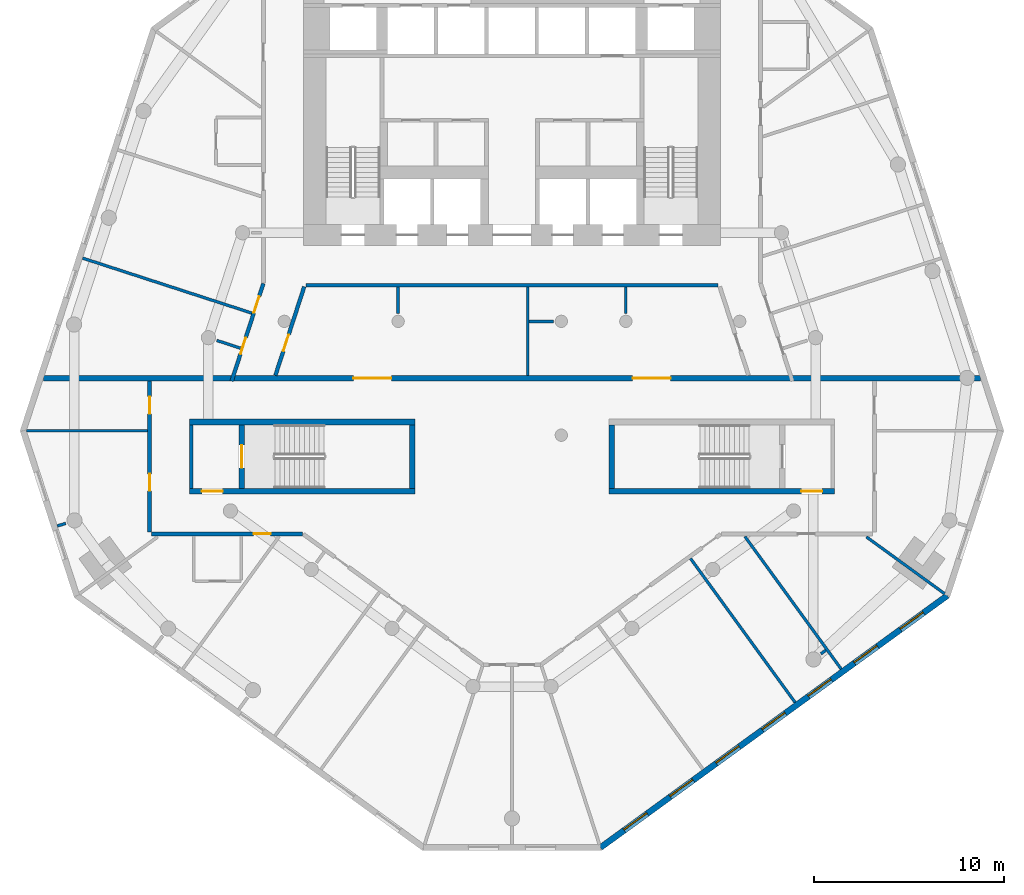
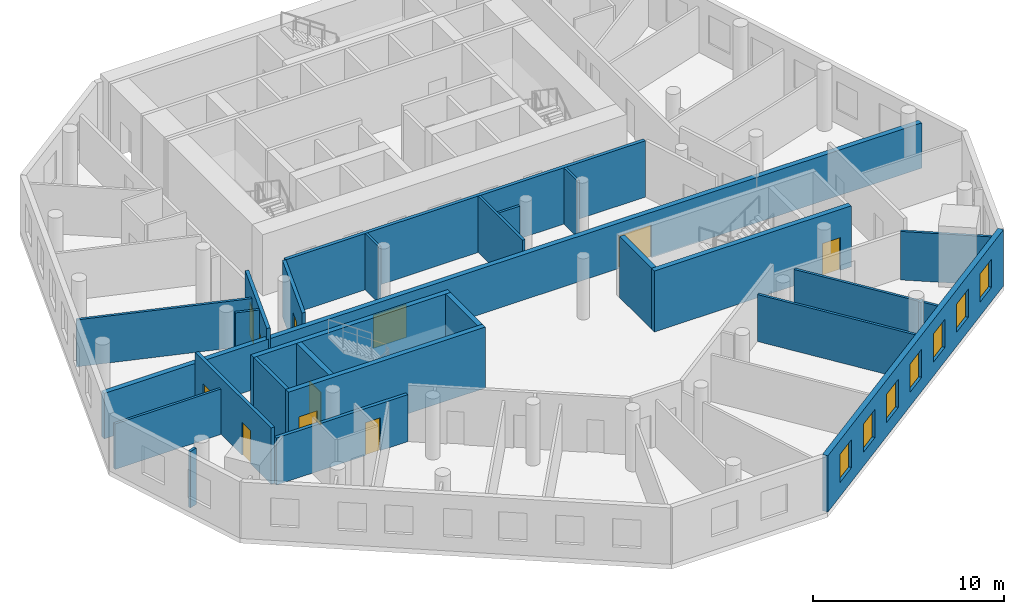
# One storey, part 3 of 9: 26 walls, 11 doors, 7 windows, 18 openings.
"""IFC4 building model written with IfcOpenShell, lengths in metres."""

from ifc_helpers import new_model, si_unit, direction, frame, frame_2d, origin, place, context, subcontext, project, spatial, rectangle, extrude, material, layer, layer_set, type_object, element, fill, save


model = new_model("IFC4")

# Units and contexts
model_context = context("Model", 3, precision=1e-05, world=origin(), true_north=direction((0.0, 1.0)))
body_context = subcontext(model_context, "Body", "Model", "MODEL_VIEW")
ifc_project = project(units=[si_unit("LENGTHUNIT", "METRE"), si_unit("AREAUNIT", "SQUARE_METRE"), si_unit("VOLUMEUNIT", "CUBIC_METRE"), si_unit("PLANEANGLEUNIT", "RADIAN"), si_unit("MASSUNIT", "GRAM", prefix="KILO")], contexts=[model_context])

# Site, building, storey
site_placement = place(None, origin())
site = spatial("IfcSite", under=ifc_project, at=site_placement, CompositionType="ELEMENT")
building_placement = place(site_placement, origin())
building = spatial("IfcBuilding", under=site, at=building_placement, Name="White Candle Pilgrim Tower", CompositionType="ELEMENT")
storey_placement = place(building_placement, frame((0.0, 0.0, 94.699951171875)))
storey = spatial("IfcBuildingStorey", under=building, at=storey_placement, Name="L20", CompositionType="ELEMENT", Elevation=94.699951171875)

# Wall
ifc_material_1 = material(Name="Concrete C60/75", Category="concrete")
ifc_layer_1 = layer(ifc_material_1, 0.199951171875)
ifc_layer_set_1 = layer_set([ifc_layer_1], Name="Core wall 200 mm Concrete C60/75")
wall_type_1 = type_object("IfcWallType", Name="Core wall 200 mm Concrete C60/75", PredefinedType="SHEAR", material=ifc_layer_set_1)
wall_1_placement = place(storey_placement, frame((53.10009765625, 58.199951171875, 0.0), z_axis=(0.0, 0.0, 1.0), x_axis=(0.0, 1.0, 0.0)))
element("IfcWall", 1, at=wall_1_placement, inside=storey, type_object=wall_type_1, Name="WL-L20-C03", PredefinedType="SHEAR", context=body_context, shape_type="SweptSolid", body=[
    extrude(rectangle(XDim=3.35009765625, YDim=0.199951171875, at=frame_2d((1.675048828125, 0.0))), origin(), (0.0, 0.0, 1.0), 3.900146484375),
])

# Wall, openings, doors
ifc_material_2 = material(Name="Gypsum board on steel studs", Category="steel")
ifc_layer_2 = layer(ifc_material_2, 0.199951171875)
ifc_layer_set_2 = layer_set([ifc_layer_2], Name="Corridor wall 200 mm EI 45")
wall_type_2 = type_object("IfcWallType", Name="Corridor wall 200 mm EI 45", PredefinedType="PARTITIONING", material=ifc_layer_set_2)
wall_2_placement = place(storey_placement, frame((55.224609375, 63.85009765625, 0.0), z_axis=(0.0, 0.0, 1.0), x_axis=(0.309037048815, 0.951049999979, 0.0)))
wall_2 = element("IfcWall", 2, at=wall_2_placement, inside=storey, type_object=wall_type_2, Name="WL-L20-P002", PredefinedType="PARTITIONING", context=body_context, shape_type="SweptSolid", body=[
    extrude(rectangle(XDim=5.4052734375, YDim=0.199951171875, at=frame_2d((2.70263671875, 0.0))), origin(), (0.0, 0.0, 1.0), 3.60009765625),
])
opening_1_placement = place(wall_2_placement, frame((1.508544921875, 0.0, 0.0)))
opening_1 = element("IfcOpeningElement", 3, at=opening_1_placement, cuts=wall_2, Name="Opening T06-119", PredefinedType="OPENING", context=body_context, shape_type="SweptSolid", body=[
    extrude(rectangle(XDim=0.89990234375, YDim=2.10009765625, at=frame_2d((0.449951171875, 1.050048828125))), frame((0.0, 0.10986328125, 0.0), z_axis=(0.0, -1.0, 0.0), x_axis=(1.0, 0.0, 0.0)), (0.0, 0.0, 1.0), 0.219970703125),
])
opening_2_placement = place(wall_2_placement, frame((3.78369140625, 0.0, 0.0)))
opening_2 = element("IfcOpeningElement", 4, at=opening_2_placement, cuts=wall_2, Name="Opening T06-120", PredefinedType="OPENING", context=body_context, shape_type="SweptSolid", body=[
    extrude(rectangle(XDim=0.89990234375, YDim=2.10009765625, at=frame_2d((0.449951171875, 1.050048828125))), frame((0.0, 0.10986328125, 0.0), z_axis=(0.0, -1.0, 0.0), x_axis=(1.0, 0.0, 0.0)), (0.0, 0.0, 1.0), 0.219970703125),
])
ifc_material_3 = material(Name="Steel door leaf", Category="steel")
door_type_1 = type_object("IfcDoorType", Name="Fire door 900 x 2100 EI 30", OperationType="NOTDEFINED", PredefinedType="DOOR", material=ifc_material_3)
door_1_placement = place(opening_1_placement, origin())
door_1 = element("IfcDoor", 5, at=door_1_placement, inside=storey, type_object=door_type_1, Name="Door T06-119", OperationType="SINGLE_SWING_LEFT", OverallHeight=2.10009765625, OverallWidth=0.89990234375, PredefinedType="DOOR", context=body_context, shape_type="SweptSolid", body=[
    extrude(rectangle(XDim=0.89990234375, YDim=2.10009765625, at=frame_2d((0.449951171875, 1.050048828125))), frame((0.0, 0.02490234375, 0.0), z_axis=(0.0, -1.0, 0.0), x_axis=(1.0, 0.0, 0.0)), (0.0, 0.0, 1.0), 0.050048828125),
])
fill(opening_1, door_1)
door_2_placement = place(opening_2_placement, frame((0.89990234375, 0.0, 0.0), z_axis=(0.0, 0.0, 1.0), x_axis=(-1.0, 0.0, 0.0)))
door_2 = element("IfcDoor", 6, at=door_2_placement, inside=storey, type_object=door_type_1, Name="Door T06-120", OperationType="SINGLE_SWING_LEFT", OverallHeight=2.10009765625, OverallWidth=0.89990234375, PredefinedType="DOOR", context=body_context, shape_type="SweptSolid", body=[
    extrude(rectangle(XDim=0.89990234375, YDim=2.10009765625, at=frame_2d((0.449951171875, 1.050048828125))), frame((0.0, 0.02490234375, 0.0), z_axis=(0.0, -1.0, 0.0), x_axis=(1.0, 0.0, 0.0)), (0.0, 0.0, 1.0), 0.050048828125),
])
fill(opening_2, door_2)

# Wall, opening, door
wall_3_placement = place(storey_placement, frame((58.946044921875, 55.800048828125, 0.0), z_axis=(0.0, 0.0, 1.0), x_axis=(-1.0, 0.0, 0.0)))
wall_3 = element("IfcWall", 7, at=wall_3_placement, inside=storey, type_object=wall_type_2, Name="WL-L20-P011", PredefinedType="PARTITIONING", context=body_context, shape_type="SweptSolid", body=[
    extrude(rectangle(XDim=7.946044921875, YDim=0.199951171875, at=frame_2d((3.97314453125, 0.0))), origin(), (0.0, 0.0, 1.0), 3.0),
])
opening_3_placement = place(wall_3_placement, frame((1.66943359375, 0.0, 0.0)))
opening_3 = element("IfcOpeningElement", 8, at=opening_3_placement, cuts=wall_3, Name="Opening T06-104", PredefinedType="OPENING", context=body_context, shape_type="SweptSolid", body=[
    extrude(rectangle(XDim=0.89990234375, YDim=2.10009765625, at=frame_2d((0.449951171875, 1.050048828125))), frame((0.0, 0.10986328125, 0.0), z_axis=(0.0, -1.0, 0.0), x_axis=(1.0, 0.0, 0.0)), (0.0, 0.0, 1.0), 0.219970703125),
])
door_3_placement = place(opening_3_placement, origin())
door_3 = element("IfcDoor", 9, at=door_3_placement, inside=storey, type_object=door_type_1, Name="Door T06-104", OperationType="SINGLE_SWING_RIGHT", OverallHeight=2.10009765625, OverallWidth=0.89990234375, PredefinedType="DOOR", context=body_context, shape_type="SweptSolid", body=[
    extrude(rectangle(XDim=0.89990234375, YDim=2.10009765625, at=frame_2d((0.449951171875, 1.050048828125))), frame((0.0, 0.02490234375, 0.0), z_axis=(0.0, -1.0, 0.0), x_axis=(1.0, 0.0, 0.0)), (0.0, 0.0, 1.0), 0.050048828125),
])
fill(opening_3, door_3)

# Wall, openings, doors
wall_4_placement = place(storey_placement, frame((50.89990234375, 55.89990234375, 0.0), z_axis=(0.0, 0.0, 1.0), x_axis=(0.0, 1.0, 0.0)))
wall_4 = element("IfcWall", 10, at=wall_4_placement, inside=storey, type_object=wall_type_2, Name="WL-L20-P012", PredefinedType="PARTITIONING", context=body_context, shape_type="SweptSolid", body=[
    extrude(rectangle(XDim=7.9501953125, YDim=0.199951171875, at=frame_2d((3.97509765625, 0.0))), origin(), (0.0, 0.0, 1.0), 3.60009765625),
])
opening_4_placement = place(wall_4_placement, frame((2.165283203125, 0.0, 0.0)))
opening_4 = element("IfcOpeningElement", 11, at=opening_4_placement, cuts=wall_4, Name="Opening T06-102", PredefinedType="OPENING", context=body_context, shape_type="SweptSolid", body=[
    extrude(rectangle(XDim=0.89990234375, YDim=2.10009765625, at=frame_2d((0.449951171875, 1.050048828125))), frame((0.0, 0.10986328125, 0.0), z_axis=(0.0, -1.0, 0.0), x_axis=(1.0, 0.0, 0.0)), (0.0, 0.0, 1.0), 0.219970703125),
])
opening_5_placement = place(wall_4_placement, frame((6.227783203125, 0.0, 0.0)))
opening_5 = element("IfcOpeningElement", 12, at=opening_5_placement, cuts=wall_4, Name="Opening T06-118", PredefinedType="OPENING", context=body_context, shape_type="SweptSolid", body=[
    extrude(rectangle(XDim=0.89990234375, YDim=2.10009765625, at=frame_2d((0.449951171875, 1.050048828125))), frame((0.0, 0.10986328125, 0.0), z_axis=(0.0, -1.0, 0.0), x_axis=(1.0, 0.0, 0.0)), (0.0, 0.0, 1.0), 0.219970703125),
])
door_4_placement = place(opening_4_placement, origin())
door_4 = element("IfcDoor", 13, at=door_4_placement, inside=storey, type_object=door_type_1, Name="Door T06-102", OperationType="SINGLE_SWING_RIGHT", OverallHeight=2.10009765625, OverallWidth=0.89990234375, PredefinedType="DOOR", context=body_context, shape_type="SweptSolid", body=[
    extrude(rectangle(XDim=0.89990234375, YDim=2.10009765625, at=frame_2d((0.449951171875, 1.050048828125))), frame((0.0, 0.02490234375, 0.0), z_axis=(0.0, -1.0, 0.0), x_axis=(1.0, 0.0, 0.0)), (0.0, 0.0, 1.0), 0.050048828125),
])
fill(opening_4, door_4)
door_5_placement = place(opening_5_placement, origin())
door_5 = element("IfcDoor", 14, at=door_5_placement, inside=storey, type_object=door_type_1, Name="Door T06-118", OperationType="SINGLE_SWING_RIGHT", OverallHeight=2.10009765625, OverallWidth=0.89990234375, PredefinedType="DOOR", context=body_context, shape_type="SweptSolid", body=[
    extrude(rectangle(XDim=0.89990234375, YDim=2.10009765625, at=frame_2d((0.449951171875, 1.050048828125))), frame((0.0, 0.02490234375, 0.0), z_axis=(0.0, -1.0, 0.0), x_axis=(1.0, 0.0, 0.0)), (0.0, 0.0, 1.0), 0.050048828125),
])
fill(opening_5, door_5)

# Wall
wall_5_placement = place(storey_placement, frame((80.853759765625, 68.89990234375, 0.0), z_axis=(0.0, 0.0, 1.0), x_axis=(-1.0, 0.0, 0.0)))
element("IfcWall", 15, at=wall_5_placement, inside=storey, type_object=wall_type_2, Name="WL-L20-P013", PredefinedType="PARTITIONING", context=body_context, shape_type="SweptSolid", body=[
    extrude(rectangle(XDim=21.70751953125, YDim=0.199951171875, at=frame_2d((10.853759765625, 0.0))), origin(), (0.0, 0.0, 1.0), 3.60009765625),
])

# Wall, opening, door
wall_6_placement = place(storey_placement, frame((59.05126953125, 68.830810546875, 0.0), z_axis=(0.0, 0.0, 1.0), x_axis=(-0.309031112369, -0.951051928965, 0.0)))
wall_6 = element("IfcWall", 16, at=wall_6_placement, inside=storey, type_object=wall_type_2, Name="WL-L20-P014", PredefinedType="PARTITIONING", context=body_context, shape_type="SweptSolid", body=[
    extrude(rectangle(XDim=4.921875, YDim=0.199951171875, at=frame_2d((2.4609375, 0.0))), origin(), (0.0, 0.0, 1.0), 3.60009765625),
])
opening_6_placement = place(wall_6_placement, frame((2.665283203125, 0.0, 0.0)))
opening_6 = element("IfcOpeningElement", 17, at=opening_6_placement, cuts=wall_6, Name="Opening T06-129", PredefinedType="OPENING", context=body_context, shape_type="SweptSolid", body=[
    extrude(rectangle(XDim=0.89990234375, YDim=2.10009765625, at=frame_2d((0.449951171875, 1.050048828125))), frame((0.0, 0.10986328125, 0.0), z_axis=(0.0, -1.0, 0.0), x_axis=(1.0, 0.0, 0.0)), (0.0, 0.0, 1.0), 0.219970703125),
])
door_6_placement = place(opening_6_placement, origin())
door_6 = element("IfcDoor", 18, at=door_6_placement, inside=storey, type_object=door_type_1, Name="Door T06-129", OperationType="SINGLE_SWING_LEFT", OverallHeight=2.10009765625, OverallWidth=0.89990234375, PredefinedType="DOOR", context=body_context, shape_type="SweptSolid", body=[
    extrude(rectangle(XDim=0.89990234375, YDim=2.10009765625, at=frame_2d((0.449951171875, 1.050048828125))), frame((0.0, 0.02490234375, 0.0), z_axis=(0.0, -1.0, 0.0), x_axis=(1.0, 0.0, 0.0)), (0.0, 0.0, 1.0), 0.050048828125),
])
fill(opening_6, door_6)

# Wall, openings, windows
ifc_material_4 = material(Name="Precast concrete C40/50", Category="concrete")
ifc_layer_3 = layer(ifc_material_4, 0.320068359375)
ifc_layer_set_3 = layer_set([ifc_layer_3], Name="Facade wall EW1 precast concrete C40/50 pier wall with timber-lined reveals")
wall_type_3 = type_object("IfcWallType", Name="Facade wall EW1 precast concrete C40/50 pier wall with timber-lined reveals", PredefinedType="SOLIDWALL", material=ifc_layer_set_3)
wall_7_placement = place(storey_placement, frame((74.66259765625, 39.26416015625, 0.0), z_axis=(0.0, 0.0, 1.0), x_axis=(0.809012643171, 0.587791241165, 0.0)))
wall_7 = element("IfcWall", 19, at=wall_7_placement, inside=storey, type_object=wall_type_3, Name="Facade wall L20 SE", PredefinedType="SOLIDWALL", context=body_context, shape_type="SweptSolid", body=[
    extrude(rectangle(XDim=22.591796875, YDim=0.320068359375, at=frame_2d((11.2958984375, 0.0))), origin(), (0.0, 0.0, 1.0), 3.60009765625),
])
opening_7_placement = place(wall_7_placement, frame((1.5458984375, 0.0, 0.89990234375)))
opening_7 = element("IfcOpeningElement", 20, at=opening_7_placement, cuts=wall_7, Name="Opening W1", PredefinedType="OPENING", context=body_context, shape_type="SweptSolid", body=[
    extrude(rectangle(XDim=1.5, YDim=1.800048828125, at=frame_2d((0.75, 0.89990234375))), frame((0.0, 0.169921875, 0.0), z_axis=(0.0, -1.0, 0.0), x_axis=(1.0, 0.0, 0.0)), (0.0, 0.0, 1.0), 0.340087890625),
])
opening_8_placement = place(wall_7_placement, frame((4.5458984375, 0.0, 0.89990234375)))
opening_8 = element("IfcOpeningElement", 21, at=opening_8_placement, cuts=wall_7, Name="Opening W1", PredefinedType="OPENING", context=body_context, shape_type="SweptSolid", body=[
    extrude(rectangle(XDim=1.5, YDim=1.800048828125, at=frame_2d((0.75, 0.89990234375))), frame((0.0, 0.169921875, 0.0), z_axis=(0.0, -1.0, 0.0), x_axis=(1.0, 0.0, 0.0)), (0.0, 0.0, 1.0), 0.340087890625),
])
opening_9_placement = place(wall_7_placement, frame((7.5458984375, 0.0, 0.89990234375)))
opening_9 = element("IfcOpeningElement", 22, at=opening_9_placement, cuts=wall_7, Name="Opening W1", PredefinedType="OPENING", context=body_context, shape_type="SweptSolid", body=[
    extrude(rectangle(XDim=1.5, YDim=1.800048828125, at=frame_2d((0.75, 0.89990234375))), frame((0.0, 0.169921875, 0.0), z_axis=(0.0, -1.0, 0.0), x_axis=(1.0, 0.0, 0.0)), (0.0, 0.0, 1.0), 0.340087890625),
])
opening_10_placement = place(wall_7_placement, frame((10.5458984375, 0.0, 0.89990234375)))
opening_10 = element("IfcOpeningElement", 23, at=opening_10_placement, cuts=wall_7, Name="Opening W1", PredefinedType="OPENING", context=body_context, shape_type="SweptSolid", body=[
    extrude(rectangle(XDim=1.5, YDim=1.800048828125, at=frame_2d((0.75, 0.89990234375))), frame((0.0, 0.169921875, 0.0), z_axis=(0.0, -1.0, 0.0), x_axis=(1.0, 0.0, 0.0)), (0.0, 0.0, 1.0), 0.340087890625),
])
opening_11_placement = place(wall_7_placement, frame((13.5458984375, 0.0, 0.89990234375)))
opening_11 = element("IfcOpeningElement", 24, at=opening_11_placement, cuts=wall_7, Name="Opening W1", PredefinedType="OPENING", context=body_context, shape_type="SweptSolid", body=[
    extrude(rectangle(XDim=1.5, YDim=1.800048828125, at=frame_2d((0.75, 0.89990234375))), frame((0.0, 0.169921875, 0.0), z_axis=(0.0, -1.0, 0.0), x_axis=(1.0, 0.0, 0.0)), (0.0, 0.0, 1.0), 0.340087890625),
])
opening_12_placement = place(wall_7_placement, frame((16.5458984375, 0.0, 0.89990234375)))
opening_12 = element("IfcOpeningElement", 25, at=opening_12_placement, cuts=wall_7, Name="Opening W1", PredefinedType="OPENING", context=body_context, shape_type="SweptSolid", body=[
    extrude(rectangle(XDim=1.5, YDim=1.800048828125, at=frame_2d((0.75, 0.89990234375))), frame((0.0, 0.169921875, 0.0), z_axis=(0.0, -1.0, 0.0), x_axis=(1.0, 0.0, 0.0)), (0.0, 0.0, 1.0), 0.340087890625),
])
opening_13_placement = place(wall_7_placement, frame((19.5458984375, 0.0, 0.89990234375)))
opening_13 = element("IfcOpeningElement", 26, at=opening_13_placement, cuts=wall_7, Name="Opening W1", PredefinedType="OPENING", context=body_context, shape_type="SweptSolid", body=[
    extrude(rectangle(XDim=1.5, YDim=1.800048828125, at=frame_2d((0.75, 0.89990234375))), frame((0.0, 0.169921875, 0.0), z_axis=(0.0, -1.0, 0.0), x_axis=(1.0, 0.0, 0.0)), (0.0, 0.0, 1.0), 0.340087890625),
])
ifc_material_5 = material(Name="Timber frame with triple glazing", Category="wood")
window_type = type_object("IfcWindowType", Name="Window W1 1500x1800 timber frame triple glazing", PartitioningType="SINGLE_PANEL", PredefinedType="WINDOW", material=ifc_material_5)
window_1_placement = place(opening_7_placement, origin())
window_1 = element("IfcWindow", 27, at=window_1_placement, inside=storey, type_object=window_type, Name="Window W1 L20 SE 1", OverallHeight=1.800048828125, OverallWidth=1.5, PartitioningType="SINGLE_PANEL", PredefinedType="WINDOW", context=body_context, shape_type="SweptSolid", body=[
    extrude(rectangle(XDim=1.5, YDim=1.800048828125, at=frame_2d((0.75, 0.89990234375))), frame((0.0, 0.070068359375, 0.0), z_axis=(0.0, -1.0, 0.0), x_axis=(1.0, 0.0, 0.0)), (0.0, 0.0, 1.0), 0.06005859375),
])
fill(opening_7, window_1)
window_2_placement = place(opening_8_placement, origin())
window_2 = element("IfcWindow", 28, at=window_2_placement, inside=storey, type_object=window_type, Name="Window W1 L20 SE 2", OverallHeight=1.800048828125, OverallWidth=1.5, PartitioningType="SINGLE_PANEL", PredefinedType="WINDOW", context=body_context, shape_type="SweptSolid", body=[
    extrude(rectangle(XDim=1.5, YDim=1.800048828125, at=frame_2d((0.75, 0.89990234375))), frame((0.0, 0.070068359375, 0.0), z_axis=(0.0, -1.0, 0.0), x_axis=(1.0, 0.0, 0.0)), (0.0, 0.0, 1.0), 0.06005859375),
])
fill(opening_8, window_2)
window_3_placement = place(opening_9_placement, origin())
window_3 = element("IfcWindow", 29, at=window_3_placement, inside=storey, type_object=window_type, Name="Window W1 L20 SE 3", OverallHeight=1.800048828125, OverallWidth=1.5, PartitioningType="SINGLE_PANEL", PredefinedType="WINDOW", context=body_context, shape_type="SweptSolid", body=[
    extrude(rectangle(XDim=1.5, YDim=1.800048828125, at=frame_2d((0.75, 0.89990234375))), frame((0.0, 0.070068359375, 0.0), z_axis=(0.0, -1.0, 0.0), x_axis=(1.0, 0.0, 0.0)), (0.0, 0.0, 1.0), 0.06005859375),
])
fill(opening_9, window_3)
window_4_placement = place(opening_10_placement, origin())
window_4 = element("IfcWindow", 30, at=window_4_placement, inside=storey, type_object=window_type, Name="Window W1 L20 SE 4", OverallHeight=1.800048828125, OverallWidth=1.5, PartitioningType="SINGLE_PANEL", PredefinedType="WINDOW", context=body_context, shape_type="SweptSolid", body=[
    extrude(rectangle(XDim=1.5, YDim=1.800048828125, at=frame_2d((0.75, 0.89990234375))), frame((0.0, 0.070068359375, 0.0), z_axis=(0.0, -1.0, 0.0), x_axis=(1.0, 0.0, 0.0)), (0.0, 0.0, 1.0), 0.06005859375),
])
fill(opening_10, window_4)
window_5_placement = place(opening_11_placement, origin())
window_5 = element("IfcWindow", 31, at=window_5_placement, inside=storey, type_object=window_type, Name="Window W1 L20 SE 5", OverallHeight=1.800048828125, OverallWidth=1.5, PartitioningType="SINGLE_PANEL", PredefinedType="WINDOW", context=body_context, shape_type="SweptSolid", body=[
    extrude(rectangle(XDim=1.5, YDim=1.800048828125, at=frame_2d((0.75, 0.89990234375))), frame((0.0, 0.070068359375, 0.0), z_axis=(0.0, -1.0, 0.0), x_axis=(1.0, 0.0, 0.0)), (0.0, 0.0, 1.0), 0.06005859375),
])
fill(opening_11, window_5)
window_6_placement = place(opening_12_placement, origin())
window_6 = element("IfcWindow", 32, at=window_6_placement, inside=storey, type_object=window_type, Name="Window W1 L20 SE 6", OverallHeight=1.800048828125, OverallWidth=1.5, PartitioningType="SINGLE_PANEL", PredefinedType="WINDOW", context=body_context, shape_type="SweptSolid", body=[
    extrude(rectangle(XDim=1.5, YDim=1.800048828125, at=frame_2d((0.75, 0.89990234375))), frame((0.0, 0.070068359375, 0.0), z_axis=(0.0, -1.0, 0.0), x_axis=(1.0, 0.0, 0.0)), (0.0, 0.0, 1.0), 0.06005859375),
])
fill(opening_12, window_6)
window_7_placement = place(opening_13_placement, origin())
window_7 = element("IfcWindow", 33, at=window_7_placement, inside=storey, type_object=window_type, Name="Window W1 L20 SE 7", OverallHeight=1.800048828125, OverallWidth=1.5, PartitioningType="SINGLE_PANEL", PredefinedType="WINDOW", context=body_context, shape_type="SweptSolid", body=[
    extrude(rectangle(XDim=1.5, YDim=1.800048828125, at=frame_2d((0.75, 0.89990234375))), frame((0.0, 0.070068359375, 0.0), z_axis=(0.0, -1.0, 0.0), x_axis=(1.0, 0.0, 0.0)), (0.0, 0.0, 1.0), 0.06005859375),
])
fill(opening_13, window_7)

# Wall, openings, doors
ifc_material_6 = material(Name="Aerated concrete block", Category="concrete")
ifc_layer_4 = layer(ifc_material_6, 0.300048828125)
ifc_layer_set_4 = layer_set([ifc_layer_4], Name="Fire wall 300 mm REI 240")
wall_type_4 = type_object("IfcWallType", Name="Fire wall 300 mm REI 240", PredefinedType="PARTITIONING", material=ifc_layer_set_4)
wall_8_placement = place(storey_placement, frame((45.3056640625, 64.0, 0.0), z_axis=(0.0, 0.0, 1.0), x_axis=(1.0, 0.0, 0.0)))
wall_8 = element("IfcWall", 34, at=wall_8_placement, inside=storey, type_object=wall_type_4, Name="WL-L20-P001", PredefinedType="PARTITIONING", context=body_context, shape_type="SweptSolid", body=[
    extrude(rectangle(XDim=49.388671875, YDim=0.300048828125, at=frame_2d((24.6943359375, 0.0))), origin(), (0.0, 0.0, 1.0), 2.900146484375),
])
opening_14_placement = place(wall_8_placement, frame((16.3310546875, 0.0, 0.0)))
opening_14 = element("IfcOpeningElement", 35, at=opening_14_placement, cuts=wall_8, Name="Opening T06-116", PredefinedType="OPENING", context=body_context, shape_type="SweptSolid", body=[
    extrude(rectangle(XDim=2.0, YDim=2.10009765625, at=frame_2d((1.0, 1.050048828125))), frame((0.0, 0.159912109375, 0.0), z_axis=(0.0, -1.0, 0.0), x_axis=(1.0, 0.0, 0.0)), (0.0, 0.0, 1.0), 0.320068359375),
])
opening_15_placement = place(wall_8_placement, frame((31.0576171875, 0.0, 0.0)))
opening_15 = element("IfcOpeningElement", 36, at=opening_15_placement, cuts=wall_8, Name="Opening T06-117", PredefinedType="OPENING", context=body_context, shape_type="SweptSolid", body=[
    extrude(rectangle(XDim=2.0, YDim=2.10009765625, at=frame_2d((1.0, 1.050048828125))), frame((0.0, 0.159912109375, 0.0), z_axis=(0.0, -1.0, 0.0), x_axis=(1.0, 0.0, 0.0)), (0.0, 0.0, 1.0), 0.320068359375),
])
door_type_2 = type_object("IfcDoorType", Name="Fire door 2000 x 2100 EI 60", OperationType="NOTDEFINED", PredefinedType="DOOR", material=ifc_material_3)
door_7_placement = place(opening_14_placement, origin())
door_7 = element("IfcDoor", 37, at=door_7_placement, inside=storey, type_object=door_type_2, Name="Door T06-116", OperationType="DOUBLE_DOOR_SINGLE_SWING", OverallHeight=2.10009765625, OverallWidth=2.0, PredefinedType="DOOR", context=body_context, shape_type="SweptSolid", body=[
    extrude(rectangle(XDim=2.0, YDim=2.10009765625, at=frame_2d((1.0, 1.050048828125))), frame((0.0, 0.02490234375, 0.0), z_axis=(0.0, -1.0, 0.0), x_axis=(1.0, 0.0, 0.0)), (0.0, 0.0, 1.0), 0.050048828125),
])
fill(opening_14, door_7)
door_8_placement = place(opening_15_placement, origin())
door_8 = element("IfcDoor", 38, at=door_8_placement, inside=storey, type_object=door_type_2, Name="Door T06-117", OperationType="DOUBLE_DOOR_SINGLE_SWING", OverallHeight=2.10009765625, OverallWidth=2.0, PredefinedType="DOOR", context=body_context, shape_type="SweptSolid", body=[
    extrude(rectangle(XDim=2.0, YDim=2.10009765625, at=frame_2d((1.0, 1.050048828125))), frame((0.0, 0.02490234375, 0.0), z_axis=(0.0, -1.0, 0.0), x_axis=(1.0, 0.0, 0.0)), (0.0, 0.0, 1.0), 0.050048828125),
])
fill(opening_15, door_8)

# Walls
ifc_layer_5 = layer(ifc_material_2, 0.14990234375)
ifc_layer_set_5 = layer_set([ifc_layer_5], Name="Partition 150 mm EI 60")
wall_type_5 = type_object("IfcWallType", Name="Partition 150 mm EI 60", PredefinedType="PARTITIONING", material=ifc_layer_set_5)
wall_9_placement = place(storey_placement, frame((44.40576171875, 61.230712890625, 0.0), z_axis=(0.0, 0.0, 1.0), x_axis=(1.0, 0.0, 0.0)))
element("IfcWall", 39, at=wall_9_placement, inside=storey, type_object=wall_type_5, Name="WL-L20-P017", PredefinedType="PARTITIONING", context=body_context, shape_type="SweptSolid", body=[
    extrude(rectangle(XDim=6.394287109375, YDim=0.14990234375, at=frame_2d((3.197265625, 0.0))), origin(), (0.0, 0.0, 1.0), 2.900146484375),
])
wall_10_placement = place(storey_placement, frame((92.8037109375, 52.642333984375, 0.0), z_axis=(0.0, 0.0, 1.0), x_axis=(-0.809009310944, 0.587795827483, 0.0)))
element("IfcWall", 40, at=wall_10_placement, inside=storey, type_object=wall_type_5, Name="WL-L20-P021", PredefinedType="PARTITIONING", context=body_context, shape_type="SweptSolid", body=[
    extrude(rectangle(XDim=5.098876953125, YDim=0.14990234375, at=frame_2d((2.54931640625, 0.0))), origin(), (0.0, 0.0, 1.0), 3.10009765625),
])
wall_11_placement = place(storey_placement, frame((47.363525390625, 70.333740234375, 0.0), z_axis=(0.0, 0.0, 1.0), x_axis=(0.951060843481, -0.309003676349, 0.0)))
element("IfcWall", 41, at=wall_11_placement, inside=storey, type_object=wall_type_5, Name="WL-L20-P025", PredefinedType="PARTITIONING", context=body_context, shape_type="SweptSolid", body=[
    extrude(rectangle(XDim=9.3798828125, YDim=0.14990234375, at=frame_2d((4.68994140625, 0.0))), origin(), (0.0, 0.0, 1.0), 3.0),
])
wall_12_placement = place(storey_placement, frame((84.920654296875, 46.9150390625, 0.0), z_axis=(0.0, 0.0, 1.0), x_axis=(-0.587783184234, 0.809018496903, 0.0)))
element("IfcWall", 42, at=wall_12_placement, inside=storey, type_object=wall_type_5, Name="WL-L20-P037", PredefinedType="PARTITIONING", context=body_context, shape_type="SweptSolid", body=[
    extrude(rectangle(XDim=9.380126953125, YDim=0.14990234375, at=frame_2d((4.68994140625, 0.0))), origin(), (0.0, 0.0, 1.0), 3.0),
])
wall_13_placement = place(storey_placement, frame((87.34765625, 48.678466796875, 0.0), z_axis=(0.0, 0.0, 1.0), x_axis=(-0.587774405354, 0.809024875026, 0.0)))
element("IfcWall", 43, at=wall_13_placement, inside=storey, type_object=wall_type_5, Name="WL-L20-P038", PredefinedType="PARTITIONING", context=body_context, shape_type="SweptSolid", body=[
    extrude(rectangle(XDim=8.62451171875, YDim=0.14990234375, at=frame_2d((4.312255859375, 0.0))), origin(), (0.0, 0.0, 1.0), 2.900146484375),
])
wall_14_placement = place(storey_placement, frame((70.827880859375, 64.14990234375, 0.0), z_axis=(0.0, 0.0, 1.0), x_axis=(0.0, 1.0, 0.0)))
element("IfcWall", 44, at=wall_14_placement, inside=storey, type_object=wall_type_5, Name="WL-L20-P045", PredefinedType="PARTITIONING", context=body_context, shape_type="SweptSolid", body=[
    extrude(rectangle(XDim=4.650146484375, YDim=0.14990234375, at=frame_2d((2.3251953125, 0.0))), origin(), (0.0, 0.0, 1.0), 3.60009765625),
])
wall_15_placement = place(storey_placement, frame((46.47509765625, 56.35498046875, 0.0), z_axis=(0.0, 0.0, 1.0), x_axis=(-0.951037957901, -0.309074105406, 0.0)))
element("IfcWall", 45, at=wall_15_placement, inside=storey, type_object=wall_type_5, Name="WL-L20-P046", PredefinedType="PARTITIONING", context=body_context, shape_type="SweptSolid", body=[
    extrude(rectangle(XDim=0.46142578125, YDim=0.14990234375, at=frame_2d((0.230712890625, 0.0))), origin(), (0.0, 0.0, 1.0), 3.60009765625),
])
wall_16_placement = place(storey_placement, frame((86.280517578125, 49.47607421875, 0.0), z_axis=(0.0, 0.0, 1.0), x_axis=(0.809165407994, 0.587580924219, 0.0)))
element("IfcWall", 46, at=wall_16_placement, inside=storey, type_object=wall_type_5, Name="WL-L20-P049", PredefinedType="PARTITIONING", context=body_context, shape_type="SweptSolid", body=[
    extrude(rectangle(XDim=0.319580078125, YDim=0.14990234375, at=frame_2d((0.15966796875, 0.0))), origin(), (0.0, 0.0, 1.0), 3.10009765625),
])
wall_17_placement = place(storey_placement, frame((54.441162109375, 65.992919921875, 0.0), z_axis=(0.0, 0.0, 1.0), x_axis=(0.951046418515, -0.309048070419, 0.0)))
element("IfcWall", 47, at=wall_17_placement, inside=storey, type_object=wall_type_5, Name="WL-L20-P057", PredefinedType="PARTITIONING", context=body_context, shape_type="SweptSolid", body=[
    extrude(rectangle(XDim=1.307373046875, YDim=0.14990234375, at=frame_2d((0.65380859375, 0.0))), origin(), (0.0, 0.0, 1.0), 3.60009765625),
])
wall_18_placement = place(storey_placement, frame((63.997802734375, 67.4150390625, 0.0), z_axis=(0.0, 0.0, 1.0), x_axis=(0.0, 1.0, 0.0)))
element("IfcWall", 48, at=wall_18_placement, inside=storey, type_object=wall_type_5, Name="WL-L20-P058", PredefinedType="PARTITIONING", context=body_context, shape_type="SweptSolid", body=[
    extrude(rectangle(XDim=1.385009765625, YDim=0.14990234375, at=frame_2d((0.6923828125, 0.0))), origin(), (0.0, 0.0, 1.0), 3.60009765625),
])
wall_19_placement = place(storey_placement, frame((72.18505859375, 66.997802734375, 0.0), z_axis=(0.0, 0.0, 1.0), x_axis=(-1.0, 0.0, 0.0)))
element("IfcWall", 49, at=wall_19_placement, inside=storey, type_object=wall_type_5, Name="WL-L20-P059", PredefinedType="PARTITIONING", context=body_context, shape_type="SweptSolid", body=[
    extrude(rectangle(XDim=1.2822265625, YDim=0.14990234375, at=frame_2d((0.64111328125, 0.0))), origin(), (0.0, 0.0, 1.0), 3.60009765625),
])
wall_20_placement = place(storey_placement, frame((75.997802734375, 67.4150390625, 0.0), z_axis=(0.0, 0.0, 1.0), x_axis=(0.0, 1.0, 0.0)))
element("IfcWall", 50, at=wall_20_placement, inside=storey, type_object=wall_type_5, Name="WL-L20-P060", PredefinedType="PARTITIONING", context=body_context, shape_type="SweptSolid", body=[
    extrude(rectangle(XDim=1.385009765625, YDim=0.14990234375, at=frame_2d((0.6923828125, 0.0))), origin(), (0.0, 0.0, 1.0), 3.60009765625),
])

# Wall, opening, door
ifc_layer_6 = layer(ifc_material_1, 0.300048828125)
ifc_layer_set_6 = layer_set([ifc_layer_6], Name="Stair shaft wall 300 mm Concrete C60/75")
wall_type_6 = type_object("IfcWallType", Name="Stair shaft wall 300 mm Concrete C60/75", PredefinedType="SHEAR", material=ifc_layer_set_6)
wall_21_placement = place(storey_placement, frame((53.0, 58.050048828125, 0.0), z_axis=(0.0, 0.0, 1.0), x_axis=(1.0, 0.0, 0.0)))
wall_21 = element("IfcWall", 51, at=wall_21_placement, inside=storey, type_object=wall_type_6, Name="WL-L20-C01", PredefinedType="SHEAR", context=body_context, shape_type="SweptSolid", body=[
    extrude(rectangle(XDim=11.89990234375, YDim=0.300048828125, at=frame_2d((5.949951171875, 0.0))), origin(), (0.0, 0.0, 1.0), 3.900146484375),
])
opening_16_placement = place(wall_21_placement, frame((0.64990234375, 0.0, 0.0)))
opening_16 = element("IfcOpeningElement", 52, at=opening_16_placement, cuts=wall_21, Name="Opening T06-007", PredefinedType="OPENING", context=body_context, shape_type="SweptSolid", body=[
    extrude(rectangle(XDim=1.10009765625, YDim=2.10009765625, at=frame_2d((0.550048828125, 1.050048828125))), frame((0.0, 0.159912109375, 0.0), z_axis=(0.0, -1.0, 0.0), x_axis=(1.0, 0.0, 0.0)), (0.0, 0.0, 1.0), 0.320068359375),
])
door_type_3 = type_object("IfcDoorType", Name="Fire door 1100 x 2100 EI 60", OperationType="NOTDEFINED", PredefinedType="DOOR", material=ifc_material_3)
door_9_placement = place(opening_16_placement, origin())
door_9 = element("IfcDoor", 53, at=door_9_placement, inside=storey, type_object=door_type_3, Name="Door T06-007", OperationType="SINGLE_SWING_LEFT", OverallHeight=2.10009765625, OverallWidth=1.10009765625, PredefinedType="DOOR", context=body_context, shape_type="SweptSolid", body=[
    extrude(rectangle(XDim=1.10009765625, YDim=2.10009765625, at=frame_2d((0.550048828125, 1.050048828125))), frame((0.0, 0.02490234375, 0.0), z_axis=(0.0, -1.0, 0.0), x_axis=(1.0, 0.0, 0.0)), (0.0, 0.0, 1.0), 0.050048828125),
])
fill(opening_16, door_9)

wall_22_placement = place(storey_placement, frame((75.10009765625, 58.050048828125, 0.0), z_axis=(0.0, 0.0, 1.0), x_axis=(1.0, 0.0, 0.0)))
wall_22 = element("IfcWall", 54, at=wall_22_placement, inside=storey, type_object=wall_type_6, Name="WL-L20-C02", PredefinedType="SHEAR", context=body_context, shape_type="SweptSolid", body=[
    extrude(rectangle(XDim=11.89990234375, YDim=0.300048828125, at=frame_2d((5.949951171875, 0.0))), origin(), (0.0, 0.0, 1.0), 3.900146484375),
])
opening_17_placement = place(wall_22_placement, frame((10.14990234375, 0.0, 0.0)))
opening_17 = element("IfcOpeningElement", 55, at=opening_17_placement, cuts=wall_22, Name="Opening T06-009", PredefinedType="OPENING", context=body_context, shape_type="SweptSolid", body=[
    extrude(rectangle(XDim=1.10009765625, YDim=2.10009765625, at=frame_2d((0.550048828125, 1.050048828125))), frame((0.0, 0.159912109375, 0.0), z_axis=(0.0, -1.0, 0.0), x_axis=(1.0, 0.0, 0.0)), (0.0, 0.0, 1.0), 0.320068359375),
])
door_10_placement = place(opening_17_placement, origin())
door_10 = element("IfcDoor", 56, at=door_10_placement, inside=storey, type_object=door_type_3, Name="Door T06-009", OperationType="SINGLE_SWING_LEFT", OverallHeight=2.10009765625, OverallWidth=1.10009765625, PredefinedType="DOOR", context=body_context, shape_type="SweptSolid", body=[
    extrude(rectangle(XDim=1.10009765625, YDim=2.10009765625, at=frame_2d((0.550048828125, 1.050048828125))), frame((0.0, 0.02490234375, 0.0), z_axis=(0.0, -1.0, 0.0), x_axis=(1.0, 0.0, 0.0)), (0.0, 0.0, 1.0), 0.050048828125),
])
fill(opening_17, door_10)

wall_23_placement = place(storey_placement, frame((55.75, 58.199951171875, 0.0), z_axis=(0.0, 0.0, 1.0), x_axis=(0.0, 1.0, 0.0)))
wall_23 = element("IfcWall", 57, at=wall_23_placement, inside=storey, type_object=wall_type_6, Name="WL-L20-C04", PredefinedType="SHEAR", context=body_context, shape_type="SweptSolid", body=[
    extrude(rectangle(XDim=3.35009765625, YDim=0.300048828125, at=frame_2d((1.675048828125, 0.0))), origin(), (0.0, 0.0, 1.0), 3.900146484375),
])
opening_18_placement = place(wall_23_placement, frame((1.074951171875, 0.0, 0.0)))
opening_18 = element("IfcOpeningElement", 58, at=opening_18_placement, cuts=wall_23, Name="Opening T06-008", PredefinedType="OPENING", context=body_context, shape_type="SweptSolid", body=[
    extrude(rectangle(XDim=1.199951171875, YDim=2.10009765625, at=frame_2d((0.60009765625, 1.050048828125))), frame((0.0, 0.159912109375, 0.0), z_axis=(0.0, -1.0, 0.0), x_axis=(1.0, 0.0, 0.0)), (0.0, 0.0, 1.0), 0.320068359375),
])
door_type_4 = type_object("IfcDoorType", Name="Fire door 1200 x 2100 EI 60", OperationType="NOTDEFINED", PredefinedType="DOOR", material=ifc_material_3)
door_11_placement = place(opening_18_placement, frame((1.199951171875, 0.0, 0.0), z_axis=(0.0, 0.0, 1.0), x_axis=(-1.0, 0.0, 0.0)))
door_11 = element("IfcDoor", 59, at=door_11_placement, inside=storey, type_object=door_type_4, Name="Door T06-008", OperationType="SINGLE_SWING_LEFT", OverallHeight=2.10009765625, OverallWidth=1.199951171875, PredefinedType="DOOR", context=body_context, shape_type="SweptSolid", body=[
    extrude(rectangle(XDim=1.199951171875, YDim=2.10009765625, at=frame_2d((0.60009765625, 1.050048828125))), frame((0.0, 0.02490234375, 0.0), z_axis=(0.0, -1.0, 0.0), x_axis=(1.0, 0.0, 0.0)), (0.0, 0.0, 1.0), 0.050048828125),
])
fill(opening_18, door_11)

# Walls
for number, where, z_axis, x_axis, name in (
    (60, (64.75, 58.199951171875, 0.0), (0.0, 0.0, 1.0), (0.0, 1.0, 0.0), "WL-L20-C05"),
    (61, (75.25, 58.199951171875, 0.0), (0.0, 0.0, 1.0), (0.0, 1.0, 0.0), "WL-L20-C06"),
):
    element("IfcWall", number, at=place(storey_placement, frame(where, z_axis=z_axis, x_axis=x_axis)), inside=storey, type_object=wall_type_6, Name=name, PredefinedType="SHEAR", context=body_context, shape_type="SweptSolid", body=[
        extrude(rectangle(XDim=3.35009765625, YDim=0.300048828125, at=frame_2d((1.675048828125, 0.0))), origin(), (0.0, 0.0, 1.0), 3.900146484375),
    ])
wall_24_placement = place(storey_placement, frame((53.0, 61.699951171875, 0.0), z_axis=(0.0, 0.0, 1.0), x_axis=(1.0, 0.0, 0.0)))
element("IfcWall", 62, at=wall_24_placement, inside=storey, type_object=wall_type_6, Name="WL-L20-C09", PredefinedType="SHEAR", context=body_context, shape_type="SweptSolid", body=[
    extrude(rectangle(XDim=11.89990234375, YDim=0.300048828125, at=frame_2d((5.949951171875, 0.0))), origin(), (0.0, 0.0, 1.0), 3.900146484375),
])

save(model, "model.ifc")
